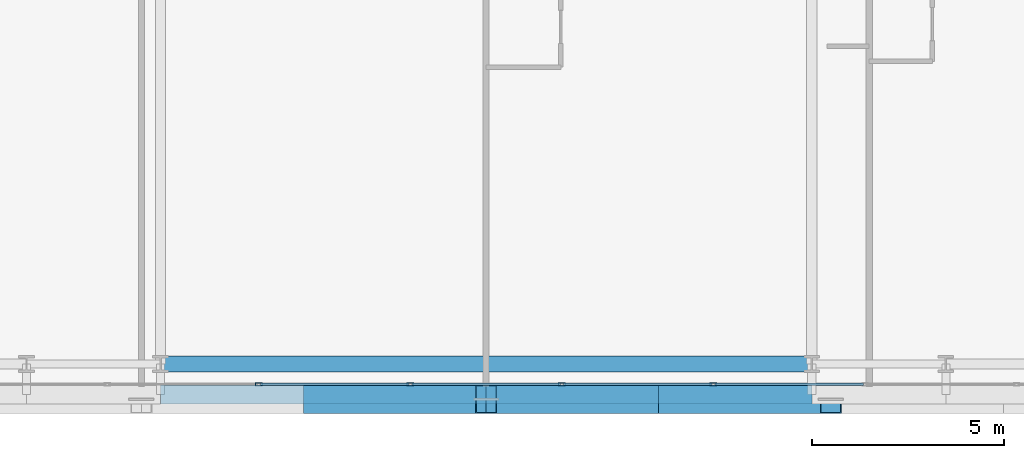
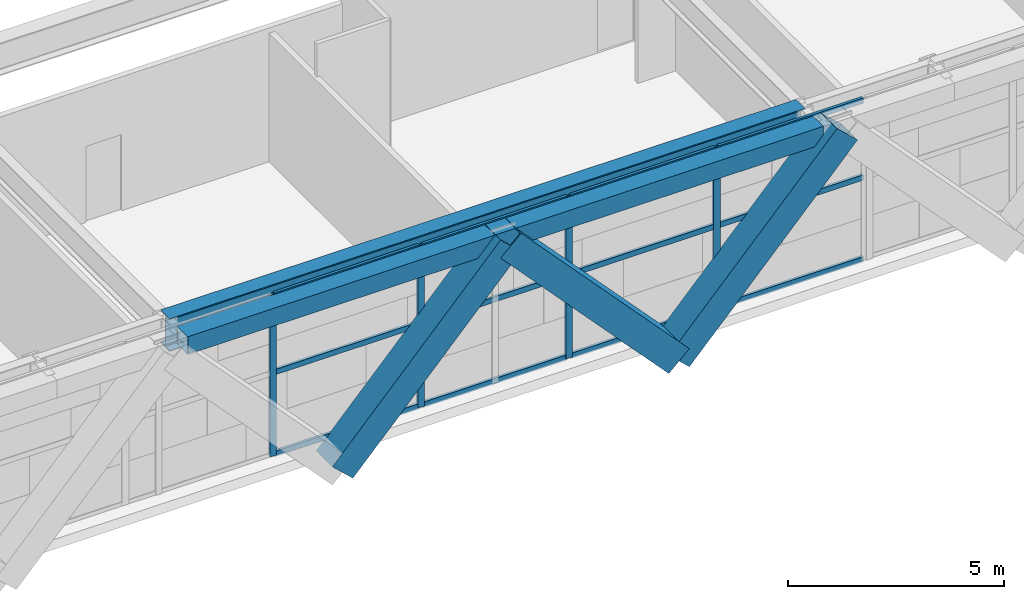
# One storey, part 5 of 38: 19 members, 2 beams, 1 element without a shape of its own.
"""IFC4 building model written with IfcOpenShell, lengths in metres."""

from ifc_helpers import new_model, si_unit, direction, frame, origin, origin_2d, place, context, subcontext, project, spatial, hollow_rectangle, i_section, extrude, source, transform, mapped, material, layer, layer_set, material_profile, profile_set, type_object, element, aggregate, save


model = new_model("IFC4")

# Units and contexts
model_context = context("Model", 3, precision=1e-05, world=origin(), true_north=direction((0.0, 1.0)))
body_context = subcontext(model_context, "Body", "Model", "MODEL_VIEW")
ifc_project = project(units=[si_unit("LENGTHUNIT", "METRE"), si_unit("AREAUNIT", "SQUARE_METRE"), si_unit("VOLUMEUNIT", "CUBIC_METRE"), si_unit("PLANEANGLEUNIT", "RADIAN"), si_unit("MASSUNIT", "GRAM", prefix="KILO")], contexts=[model_context])

# Site, building, storey
site_placement = place(None, origin())
site = spatial("IfcSite", under=ifc_project, at=site_placement, CompositionType="ELEMENT")
building_placement = place(site_placement, origin())
building = spatial("IfcBuilding", under=site, at=building_placement, Name="Ocotamira Hotel", CompositionType="ELEMENT")
storey_placement = place(building_placement, frame((0.0, 0.0, 92.39990234375)))
storey = spatial("IfcBuildingStorey", under=building, at=storey_placement, Name="L22", CompositionType="ELEMENT", Elevation=92.39990234375)

# Beams
ifc_material_1 = material(Name="Steel ASTM A992 Grade 50", Category="steel")
ifc_material_profile_1 = material_profile(ifc_material_1, i_section(OverallWidth=0.41796875, OverallDepth=0.927001953125, WebThickness=0.019287109375, FlangeThickness=0.031982421875, FilletRadius=0.02392578125, at=origin_2d()), Name="W36X231")
ifc_profile_set_1 = profile_set([ifc_material_profile_1], Name="Steel ASTM A992 Grade 50")
beam_type_1 = type_object("IfcBeamType", Name="BM-GIRD-W36X231", PredefinedType="BEAM", material=ifc_profile_set_1)
shared_shape_1 = source(origin(), body_context, "Body", "SweptSolid", [
    extrude(i_section(OverallWidth=0.41796875, OverallDepth=0.927001953125, WebThickness=0.019287109375, FlangeThickness=0.031982421875, FilletRadius=0.02392578125, at=origin_2d()), origin(), (0.0, 0.0, 1.0), 17.0),
])
beam_1_placement = place(storey_placement, frame((23.5, 2.949951171875, 4.0966796875), z_axis=(1.0, 0.0, 0.0), x_axis=(0.0, 1.0, 0.0)))
element("IfcBeam", 1, at=beam_1_placement, inside=storey, type_object=beam_type_1, Name="L22 Girder Y2.95 X23.5-40.5", PredefinedType="BEAM", context=body_context, shape_type="MappedRepresentation", body=[
    mapped(shared_shape_1, transform((0.0, 0.0, 0.0), scale=1.0)),
])
ifc_material_2 = material(Name="Steel ASTM A500 Grade C", Category="steel")
ifc_material_profile_2 = material_profile(ifc_material_2, hollow_rectangle(XDim=0.5, YDim=0.5, WallThickness=0.02001953125, at=origin_2d()), Name="HSS500X500X20")
ifc_profile_set_2 = profile_set([ifc_material_profile_2], Name="Steel ASTM A500 Grade C")
beam_type_2 = type_object("IfcBeamType", Name="BM-SPAN-HSS500", PredefinedType="USERDEFINED", material=ifc_profile_set_2)
shared_shape_2 = source(origin(), body_context, "Body", "SweptSolid", [
    extrude(hollow_rectangle(XDim=0.5, YDim=0.5, WallThickness=0.02001953125, at=origin_2d()), origin(), (0.0, 0.0, 1.0), 17.0),
])
beam_2_placement = place(storey_placement, frame((23.5, 2.14990234375, 4.31005859375), z_axis=(1.0, 0.0, 0.0), x_axis=(0.0, 1.0, 0.0)))
element("IfcBeam", 2, at=beam_2_placement, inside=storey, type_object=beam_type_2, Name="L22 Edge Spandrel S X23.5-40.5", ObjectType="SPANDREL", PredefinedType="USERDEFINED", context=body_context, shape_type="MappedRepresentation", body=[
    mapped(shared_shape_2, transform((0.0, 0.0, 0.0), scale=1.0)),
])

# Members
ifc_material_3 = material(Name="Pale-metal coated steel ASTM A913 Grade 65", Category="steel")
ifc_material_profile_3 = material_profile(ifc_material_3, hollow_rectangle(XDim=0.75, YDim=0.75, WallThickness=0.028076171875, at=origin_2d()), Name="BOX750X750X28")
ifc_profile_set_3 = profile_set([ifc_material_profile_3], Name="Pale-metal coated steel ASTM A913 Grade 65")
member_type_1 = type_object("IfcMemberType", Name="MEM-EXO-BOX750", PredefinedType="BRACE", material=ifc_profile_set_3)
shared_shape_3 = source(origin(), body_context, "Body", "SweptSolid", [
    extrude(hollow_rectangle(XDim=0.75, YDim=0.75, WallThickness=0.028076171875, at=origin_2d()), origin(), (0.0, 0.0, 1.0), 6.608642578125),
])
for number, where, z_axis, x_axis, name in (
    (3, (27.5, 2.030029296875, -0.52978515625), (0.680927060572, 0.0, 0.732351239625), (0.0, 1.0, 0.0), "L22 Exoskeleton Diagrid S1.2"),
    (4, (36.5, 2.030029296875, -0.52978515625), (-0.680927060572, 0.0, 0.732351239625), (0.0, -1.0, 0.0), "L22 Exoskeleton Diagrid S2.1"),
    (5, (36.5, 2.030029296875, -0.52978515625), (0.680927060572, 0.0, 0.732351239625), (0.0, 1.0, 0.0), "L22 Exoskeleton Diagrid S2.2"),
):
    element("IfcMember", number, at=place(storey_placement, frame(where, z_axis=z_axis, x_axis=x_axis)), inside=storey, type_object=member_type_1, Name=name, PredefinedType="BRACE", context=body_context, shape_type="MappedRepresentation", body=[
        mapped(shared_shape_3, transform((0.0, 0.0, 0.0), scale=1.0)),
    ])

# Curtain wall, members
ifc_material_4 = material(Name="Anodised pale-metal aluminium and solar glass", Category="aluminium")
ifc_layer = layer(ifc_material_4, 0.239990234375)
ifc_layer_set = layer_set([ifc_layer], Name="Anodised pale-metal aluminium and solar glass")
curtain_wall_type = type_object("IfcCurtainWallType", Name="CW-SYS5-SKY", PredefinedType="NOTDEFINED", material=ifc_layer_set)
curtain_wall_placement = place(storey_placement, origin())
curtain_wall = element("IfcCurtainWall", 6, at=curtain_wall_placement, inside=storey, type_object=curtain_wall_type, Name="L22 Curtain Wall CW-5 CW-L22-S1", PredefinedType="NOTDEFINED")
ifc_material_5 = material(Name="Anodised pale-metal aluminium 6063-T6", Category="aluminium")
ifc_material_profile_4 = material_profile(ifc_material_5, hollow_rectangle(XDim=0.074951171875, YDim=0.14990234375, WallThickness=0.006103515625, at=origin_2d()), Name="HSS150X75X6")
ifc_profile_set_4 = profile_set([ifc_material_profile_4], Name="Anodised pale-metal aluminium 6063-T6")
member_type_2 = type_object("IfcMemberType", Name="CWT-150X75", PredefinedType="USERDEFINED", material=ifc_profile_set_4)
shared_shape_4 = source(origin(), body_context, "Body", "SweptSolid", [
    extrude(hollow_rectangle(XDim=0.074951171875, YDim=0.14990234375, WallThickness=0.006103515625, at=origin_2d()), origin(), (0.0, 0.0, 1.0), 3.87548828125),
])
member_1_placement = place(storey_placement, frame((26.106689453125, 2.419921875, 0.03759765625), z_axis=(1.0, 0.0, 0.0), x_axis=(0.0, 1.0, 0.0)))
member_1 = element("IfcMember", 7, at=member_1_placement, type_object=member_type_2, Name="CW-5 transom 4.1", ObjectType="TRANSOM", PredefinedType="USERDEFINED", context=body_context, shape_type="MappedRepresentation", body=[
    mapped(shared_shape_4, transform((0.0, 0.0, 0.0), scale=1.0)),
])
member_2_placement = place(storey_placement, frame((26.106689453125, 2.419921875, 2.35009765625), z_axis=(1.0, 0.0, 0.0), x_axis=(0.0, 1.0, 0.0)))
member_2 = element("IfcMember", 8, at=member_2_placement, type_object=member_type_2, Name="CW-5 transom 4.2", ObjectType="TRANSOM", PredefinedType="USERDEFINED", context=body_context, shape_type="MappedRepresentation", body=[
    mapped(shared_shape_4, transform((0.0, 0.0, 0.0), scale=1.0)),
])
member_3_placement = place(storey_placement, frame((26.106689453125, 2.419921875, 4.522705078125), z_axis=(1.0, 0.0, 0.0), x_axis=(0.0, 1.0, 0.0)))
member_3 = element("IfcMember", 9, at=member_3_placement, type_object=member_type_2, Name="CW-5 transom 4.3", ObjectType="TRANSOM", PredefinedType="USERDEFINED", context=body_context, shape_type="MappedRepresentation", body=[
    mapped(shared_shape_4, transform((0.0, 0.0, 0.0), scale=1.0)),
])
member_4_placement = place(storey_placement, frame((30.062255859375, 2.419921875, 0.03759765625), z_axis=(1.0, 0.0, 0.0), x_axis=(0.0, 1.0, 0.0)))
member_4 = element("IfcMember", 10, at=member_4_placement, type_object=member_type_2, Name="CW-5 transom 5.1", ObjectType="TRANSOM", PredefinedType="USERDEFINED", context=body_context, shape_type="MappedRepresentation", body=[
    mapped(shared_shape_4, transform((0.0, 0.0, 0.0), scale=1.0)),
])
member_5_placement = place(storey_placement, frame((30.062255859375, 2.419921875, 2.35009765625), z_axis=(1.0, 0.0, 0.0), x_axis=(0.0, 1.0, 0.0)))
member_5 = element("IfcMember", 11, at=member_5_placement, type_object=member_type_2, Name="CW-5 transom 5.2", ObjectType="TRANSOM", PredefinedType="USERDEFINED", context=body_context, shape_type="MappedRepresentation", body=[
    mapped(shared_shape_4, transform((0.0, 0.0, 0.0), scale=1.0)),
])
member_6_placement = place(storey_placement, frame((30.062255859375, 2.419921875, 4.522705078125), z_axis=(1.0, 0.0, 0.0), x_axis=(0.0, 1.0, 0.0)))
member_6 = element("IfcMember", 12, at=member_6_placement, type_object=member_type_2, Name="CW-5 transom 5.3", ObjectType="TRANSOM", PredefinedType="USERDEFINED", context=body_context, shape_type="MappedRepresentation", body=[
    mapped(shared_shape_4, transform((0.0, 0.0, 0.0), scale=1.0)),
])
member_7_placement = place(storey_placement, frame((34.017822265625, 2.419921875, 0.03759765625), z_axis=(1.0, 0.0, 0.0), x_axis=(0.0, 1.0, 0.0)))
member_7 = element("IfcMember", 13, at=member_7_placement, type_object=member_type_2, Name="CW-5 transom 6.1", ObjectType="TRANSOM", PredefinedType="USERDEFINED", context=body_context, shape_type="MappedRepresentation", body=[
    mapped(shared_shape_4, transform((0.0, 0.0, 0.0), scale=1.0)),
])
member_8_placement = place(storey_placement, frame((34.017822265625, 2.419921875, 2.35009765625), z_axis=(1.0, 0.0, 0.0), x_axis=(0.0, 1.0, 0.0)))
member_8 = element("IfcMember", 14, at=member_8_placement, type_object=member_type_2, Name="CW-5 transom 6.2", ObjectType="TRANSOM", PredefinedType="USERDEFINED", context=body_context, shape_type="MappedRepresentation", body=[
    mapped(shared_shape_4, transform((0.0, 0.0, 0.0), scale=1.0)),
])
member_9_placement = place(storey_placement, frame((34.017822265625, 2.419921875, 4.522705078125), z_axis=(1.0, 0.0, 0.0), x_axis=(0.0, 1.0, 0.0)))
member_9 = element("IfcMember", 15, at=member_9_placement, type_object=member_type_2, Name="CW-5 transom 6.3", ObjectType="TRANSOM", PredefinedType="USERDEFINED", context=body_context, shape_type="MappedRepresentation", body=[
    mapped(shared_shape_4, transform((0.0, 0.0, 0.0), scale=1.0)),
])
member_10_placement = place(storey_placement, frame((37.973388671875, 2.419921875, 0.03759765625), z_axis=(1.0, 0.0, 0.0), x_axis=(0.0, 1.0, 0.0)))
member_10 = element("IfcMember", 16, at=member_10_placement, type_object=member_type_2, Name="CW-5 transom 7.1", ObjectType="TRANSOM", PredefinedType="USERDEFINED", context=body_context, shape_type="MappedRepresentation", body=[
    mapped(shared_shape_4, transform((0.0, 0.0, 0.0), scale=1.0)),
])
member_11_placement = place(storey_placement, frame((37.973388671875, 2.419921875, 2.35009765625), z_axis=(1.0, 0.0, 0.0), x_axis=(0.0, 1.0, 0.0)))
member_11 = element("IfcMember", 17, at=member_11_placement, type_object=member_type_2, Name="CW-5 transom 7.2", ObjectType="TRANSOM", PredefinedType="USERDEFINED", context=body_context, shape_type="MappedRepresentation", body=[
    mapped(shared_shape_4, transform((0.0, 0.0, 0.0), scale=1.0)),
])
member_12_placement = place(storey_placement, frame((37.973388671875, 2.419921875, 4.522705078125), z_axis=(1.0, 0.0, 0.0), x_axis=(0.0, 1.0, 0.0)))
member_12 = element("IfcMember", 18, at=member_12_placement, type_object=member_type_2, Name="CW-5 transom 7.3", ObjectType="TRANSOM", PredefinedType="USERDEFINED", context=body_context, shape_type="MappedRepresentation", body=[
    mapped(shared_shape_4, transform((0.0, 0.0, 0.0), scale=1.0)),
])
ifc_material_profile_5 = material_profile(ifc_material_5, hollow_rectangle(XDim=0.080078125, YDim=0.179931640625, WallThickness=0.006103515625, at=origin_2d()), Name="HSS180X80X6")
ifc_profile_set_5 = profile_set([ifc_material_profile_5], Name="Anodised pale-metal aluminium 6063-T6")
member_type_3 = type_object("IfcMemberType", Name="CWM-180X75", PredefinedType="MULLION", material=ifc_profile_set_5)
shared_shape_5 = source(origin(), body_context, "Body", "SweptSolid", [
    extrude(hollow_rectangle(XDim=0.080078125, YDim=0.179931640625, WallThickness=0.006103515625, at=origin_2d()), origin(), (0.0, 0.0, 1.0), 4.56005859375),
])
member_13_placement = place(storey_placement, frame((26.066650390625, 2.419921875, 0.0), z_axis=(0.0, 0.0, 1.0), x_axis=(0.0, 1.0, 0.0)))
member_13 = element("IfcMember", 19, at=member_13_placement, type_object=member_type_3, Name="CW-5 mullion 4", PredefinedType="MULLION", context=body_context, shape_type="MappedRepresentation", body=[
    mapped(shared_shape_5, transform((0.0, 0.0, 0.0), scale=1.0)),
])
member_14_placement = place(storey_placement, frame((30.022216796875, 2.419921875, 0.0), z_axis=(0.0, 0.0, 1.0), x_axis=(0.0, 1.0, 0.0)))
member_14 = element("IfcMember", 20, at=member_14_placement, type_object=member_type_3, Name="CW-5 mullion 5", PredefinedType="MULLION", context=body_context, shape_type="MappedRepresentation", body=[
    mapped(shared_shape_5, transform((0.0, 0.0, 0.0), scale=1.0)),
])
member_15_placement = place(storey_placement, frame((33.977783203125, 2.419921875, 0.0), z_axis=(0.0, 0.0, 1.0), x_axis=(0.0, 1.0, 0.0)))
member_15 = element("IfcMember", 21, at=member_15_placement, type_object=member_type_3, Name="CW-5 mullion 6", PredefinedType="MULLION", context=body_context, shape_type="MappedRepresentation", body=[
    mapped(shared_shape_5, transform((0.0, 0.0, 0.0), scale=1.0)),
])
member_16_placement = place(storey_placement, frame((37.933349609375, 2.419921875, 0.0), z_axis=(0.0, 0.0, 1.0), x_axis=(0.0, 1.0, 0.0)))
member_16 = element("IfcMember", 22, at=member_16_placement, type_object=member_type_3, Name="CW-5 mullion 7", PredefinedType="MULLION", context=body_context, shape_type="MappedRepresentation", body=[
    mapped(shared_shape_5, transform((0.0, 0.0, 0.0), scale=1.0)),
])
aggregate(curtain_wall, [member_13, member_14, member_15, member_16, member_1, member_2, member_3, member_4, member_5, member_6, member_7, member_8, member_9, member_10, member_11, member_12])

save(model, "model.ifc")
